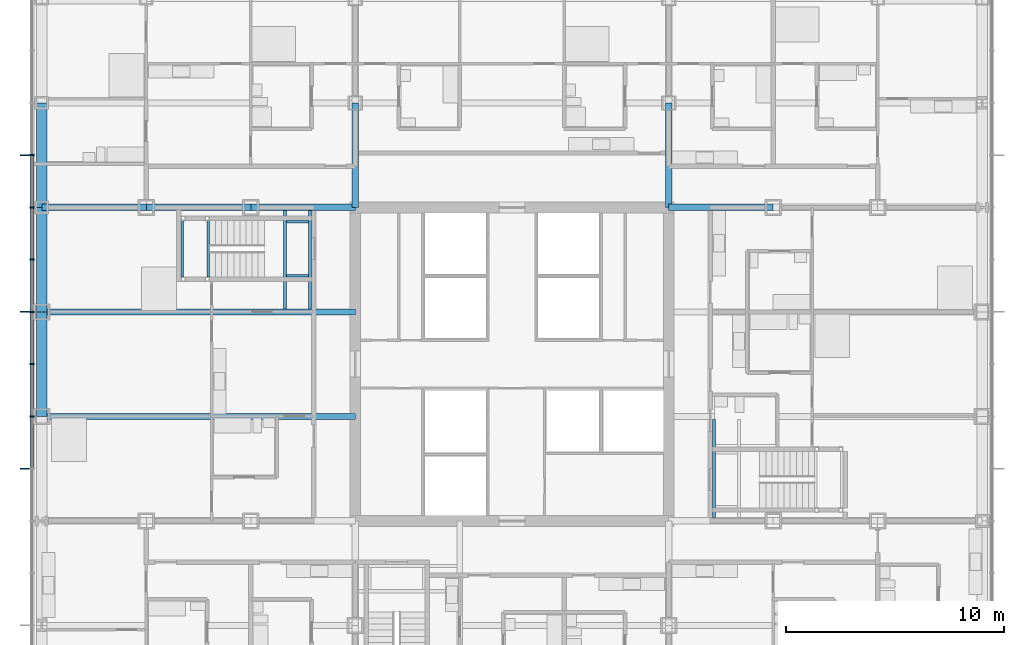
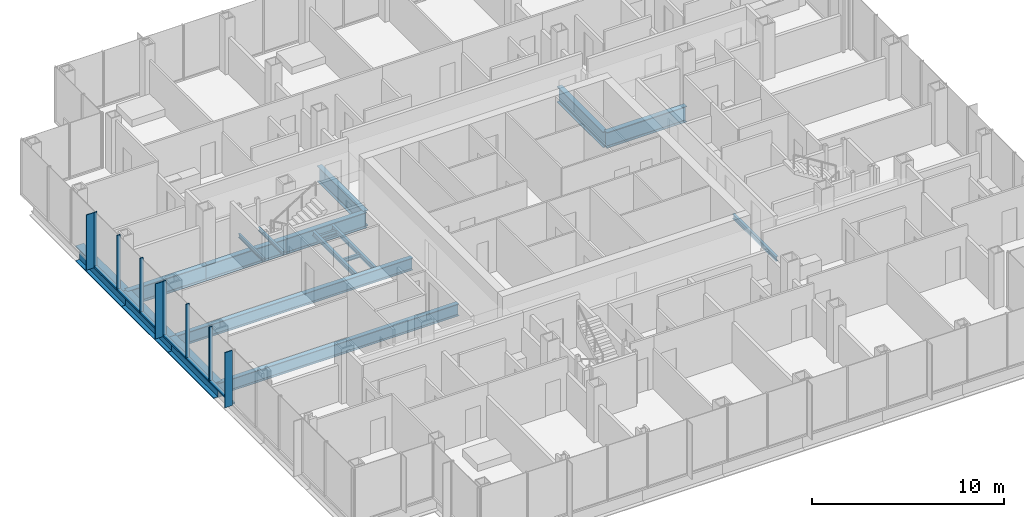
# One storey, part 8 of 21: 18 beams, 15 members, 1 element without a shape of its own.
"""IFC4 building model written with IfcOpenShell, lengths in metres."""

from ifc_helpers import new_model, si_unit, direction, frame, origin, origin_2d, place, context, subcontext, project, spatial, rectangle, i_section, extrude, material, material_profile, profile_set, type_object, element, aggregate, save


model = new_model("IFC4")

# Units and contexts
model_context = context("Model", 3, precision=1e-05, world=origin(), true_north=direction((0.0, 1.0)))
body_context = subcontext(model_context, "Body", "Model", "MODEL_VIEW")
ifc_project = project(units=[si_unit("LENGTHUNIT", "METRE"), si_unit("AREAUNIT", "SQUARE_METRE"), si_unit("VOLUMEUNIT", "CUBIC_METRE"), si_unit("PLANEANGLEUNIT", "RADIAN"), si_unit("MASSUNIT", "GRAM", prefix="KILO")], contexts=[model_context])

# Site, building, storey
site_placement = place(None, origin())
site = spatial("IfcSite", under=ifc_project, at=site_placement, CompositionType="ELEMENT")
building_placement = place(site_placement, origin())
building = spatial("IfcBuilding", under=site, at=building_placement, Name="Kvirike Care Tower", CompositionType="ELEMENT")
storey_placement = place(building_placement, frame((0.0, 0.0, 44.5)))
storey = spatial("IfcBuildingStorey", under=building, at=storey_placement, Name="L11", CompositionType="ELEMENT", Elevation=44.5)

# Curtain wall, members
ifc_material_1 = material(Name="Anodised aluminium stick system", Category="aluminium")
curtain_wall_type = type_object("IfcCurtainWallType", Name="CW-A STICK CURTAIN WALL", PredefinedType="NOTDEFINED", material=ifc_material_1)
curtain_wall_placement = place(storey_placement, origin())
curtain_wall = element("IfcCurtainWall", 1, at=curtain_wall_placement, inside=storey, type_object=curtain_wall_type, Name="Curtain wall L11 face 1", PredefinedType="NOTDEFINED")
ifc_material_2 = material(Name="Bronze anodised aluminium fin", Category="aluminium")
ifc_material_profile_1 = material_profile(ifc_material_2, rectangle(XDim=0.050048828125, YDim=0.449951171875, at=origin_2d()), Name="BRONZE FIN 450")
ifc_profile_set_1 = profile_set([ifc_material_profile_1], Name="Bronze anodised aluminium fin")
member_type_1 = type_object("IfcMemberType", Name="BRONZE FIN 450", PredefinedType="USERDEFINED", material=ifc_profile_set_1)
member_1_placement = place(storey_placement, frame((-0.77490234375, 45.60009765625, 0.0), z_axis=(0.0, 0.0, 1.0), x_axis=(0.0, -1.0, 0.0)))
member_1 = element("IfcMember", 2, at=member_1_placement, type_object=member_type_1, Name="Bronze fin L11 face 1.4", ObjectType="FIN", PredefinedType="USERDEFINED", context=body_context, shape_type="SweptSolid", body=[
    extrude(rectangle(XDim=0.050048828125, YDim=0.449951171875, at=origin_2d()), origin(), (0.0, 0.0, 1.0), 3.5),
])
member_2_placement = place(storey_placement, frame((-0.77490234375, 38.39990234375, 0.0), z_axis=(0.0, 0.0, 1.0), x_axis=(0.0, -1.0, 0.0)))
member_2 = element("IfcMember", 3, at=member_2_placement, type_object=member_type_1, Name="Bronze fin L11 face 1.7", ObjectType="FIN", PredefinedType="USERDEFINED", context=body_context, shape_type="SweptSolid", body=[
    extrude(rectangle(XDim=0.050048828125, YDim=0.449951171875, at=origin_2d()), origin(), (0.0, 0.0, 1.0), 3.5),
])
member_3_placement = place(storey_placement, frame((-0.77490234375, 31.199951171875, 0.0), z_axis=(0.0, 0.0, 1.0), x_axis=(0.0, -1.0, 0.0)))
member_3 = element("IfcMember", 4, at=member_3_placement, type_object=member_type_1, Name="Bronze fin L11 face 1.10", ObjectType="FIN", PredefinedType="USERDEFINED", context=body_context, shape_type="SweptSolid", body=[
    extrude(rectangle(XDim=0.050048828125, YDim=0.449951171875, at=origin_2d()), origin(), (0.0, 0.0, 1.0), 3.5),
])
ifc_material_3 = material(Name="Bronze anodised aluminium mullion", Category="aluminium")
ifc_material_profile_2 = material_profile(ifc_material_3, rectangle(XDim=0.06494140625, YDim=0.199951171875, at=origin_2d()), Name="CW-A MULLION 65x200")
ifc_profile_set_2 = profile_set([ifc_material_profile_2], Name="Bronze anodised aluminium mullion")
member_type_2 = type_object("IfcMemberType", Name="CW-A MULLION 65x200", PredefinedType="MULLION", material=ifc_profile_set_2)
member_4_placement = place(storey_placement, frame((-0.449951171875, 45.60009765625, 0.0), z_axis=(0.0, 0.0, 1.0), x_axis=(0.0, -1.0, 0.0)))
member_4 = element("IfcMember", 5, at=member_4_placement, type_object=member_type_2, Name="CW-A mullion L11 face 1.4", PredefinedType="MULLION", context=body_context, shape_type="SweptSolid", body=[
    extrude(rectangle(XDim=0.06494140625, YDim=0.199951171875, at=origin_2d()), origin(), (0.0, 0.0, 1.0), 3.5),
])
member_5_placement = place(storey_placement, frame((-0.449951171875, 43.199951171875, 0.0), z_axis=(0.0, 0.0, 1.0), x_axis=(0.0, -1.0, 0.0)))
member_5 = element("IfcMember", 6, at=member_5_placement, type_object=member_type_2, Name="CW-A mullion L11 face 1.5", PredefinedType="MULLION", context=body_context, shape_type="SweptSolid", body=[
    extrude(rectangle(XDim=0.06494140625, YDim=0.199951171875, at=origin_2d()), origin(), (0.0, 0.0, 1.0), 3.5),
])
member_6_placement = place(storey_placement, frame((-0.449951171875, 40.800048828125, 0.0), z_axis=(0.0, 0.0, 1.0), x_axis=(0.0, -1.0, 0.0)))
member_6 = element("IfcMember", 7, at=member_6_placement, type_object=member_type_2, Name="CW-A mullion L11 face 1.6", PredefinedType="MULLION", context=body_context, shape_type="SweptSolid", body=[
    extrude(rectangle(XDim=0.06494140625, YDim=0.199951171875, at=origin_2d()), origin(), (0.0, 0.0, 1.0), 3.5),
])
member_7_placement = place(storey_placement, frame((-0.449951171875, 38.39990234375, 0.0), z_axis=(0.0, 0.0, 1.0), x_axis=(0.0, -1.0, 0.0)))
member_7 = element("IfcMember", 8, at=member_7_placement, type_object=member_type_2, Name="CW-A mullion L11 face 1.7", PredefinedType="MULLION", context=body_context, shape_type="SweptSolid", body=[
    extrude(rectangle(XDim=0.06494140625, YDim=0.199951171875, at=origin_2d()), origin(), (0.0, 0.0, 1.0), 3.5),
])
member_8_placement = place(storey_placement, frame((-0.449951171875, 36.0, 0.0), z_axis=(0.0, 0.0, 1.0), x_axis=(0.0, -1.0, 0.0)))
member_8 = element("IfcMember", 9, at=member_8_placement, type_object=member_type_2, Name="CW-A mullion L11 face 1.8", PredefinedType="MULLION", context=body_context, shape_type="SweptSolid", body=[
    extrude(rectangle(XDim=0.06494140625, YDim=0.199951171875, at=origin_2d()), origin(), (0.0, 0.0, 1.0), 3.5),
])
member_9_placement = place(storey_placement, frame((-0.449951171875, 33.60009765625, 0.0), z_axis=(0.0, 0.0, 1.0), x_axis=(0.0, -1.0, 0.0)))
member_9 = element("IfcMember", 10, at=member_9_placement, type_object=member_type_2, Name="CW-A mullion L11 face 1.9", PredefinedType="MULLION", context=body_context, shape_type="SweptSolid", body=[
    extrude(rectangle(XDim=0.06494140625, YDim=0.199951171875, at=origin_2d()), origin(), (0.0, 0.0, 1.0), 3.5),
])
ifc_material_4 = material(Name="Bronze anodised aluminium transom", Category="aluminium")
ifc_material_profile_3 = material_profile(ifc_material_4, rectangle(XDim=0.199951171875, YDim=0.10009765625, at=origin_2d()), Name="CW-A TRANSOM 200x100")
ifc_profile_set_3 = profile_set([ifc_material_profile_3], Name="Bronze anodised aluminium transom")
member_type_3 = type_object("IfcMemberType", Name="CW-A TRANSOM 200x100", PredefinedType="USERDEFINED", material=ifc_profile_set_3)
member_10_placement = place(storey_placement, frame((-0.449951171875, 45.5673828125, 0.050048828125), z_axis=(0.0, -1.0, 0.0), x_axis=(1.0, 0.0, 0.0)))
member_10 = element("IfcMember", 11, at=member_10_placement, type_object=member_type_3, Name="CW-A sill transom L11 face 1.4", ObjectType="TRANSOM", PredefinedType="USERDEFINED", context=body_context, shape_type="SweptSolid", body=[
    extrude(rectangle(XDim=0.199951171875, YDim=0.10009765625, at=origin_2d()), origin(), (0.0, 0.0, 1.0), 2.3349609375),
])
member_11_placement = place(storey_placement, frame((-0.449951171875, 43.16748046875, 0.050048828125), z_axis=(0.0, -1.0, 0.0), x_axis=(1.0, 0.0, 0.0)))
member_11 = element("IfcMember", 12, at=member_11_placement, type_object=member_type_3, Name="CW-A sill transom L11 face 1.5", ObjectType="TRANSOM", PredefinedType="USERDEFINED", context=body_context, shape_type="SweptSolid", body=[
    extrude(rectangle(XDim=0.199951171875, YDim=0.10009765625, at=origin_2d()), origin(), (0.0, 0.0, 1.0), 2.3349609375),
])
member_12_placement = place(storey_placement, frame((-0.449951171875, 40.767578125, 0.050048828125), z_axis=(0.0, -1.0, 0.0), x_axis=(1.0, 0.0, 0.0)))
member_12 = element("IfcMember", 13, at=member_12_placement, type_object=member_type_3, Name="CW-A sill transom L11 face 1.6", ObjectType="TRANSOM", PredefinedType="USERDEFINED", context=body_context, shape_type="SweptSolid", body=[
    extrude(rectangle(XDim=0.199951171875, YDim=0.10009765625, at=origin_2d()), origin(), (0.0, 0.0, 1.0), 2.3349609375),
])
member_13_placement = place(storey_placement, frame((-0.449951171875, 38.367431640625, 0.050048828125), z_axis=(0.0, -1.0, 0.0), x_axis=(1.0, 0.0, 0.0)))
member_13 = element("IfcMember", 14, at=member_13_placement, type_object=member_type_3, Name="CW-A sill transom L11 face 1.7", ObjectType="TRANSOM", PredefinedType="USERDEFINED", context=body_context, shape_type="SweptSolid", body=[
    extrude(rectangle(XDim=0.199951171875, YDim=0.10009765625, at=origin_2d()), origin(), (0.0, 0.0, 1.0), 2.3349609375),
])
member_14_placement = place(storey_placement, frame((-0.449951171875, 35.967529296875, 0.050048828125), z_axis=(0.0, -1.0, 0.0), x_axis=(1.0, 0.0, 0.0)))
member_14 = element("IfcMember", 15, at=member_14_placement, type_object=member_type_3, Name="CW-A sill transom L11 face 1.8", ObjectType="TRANSOM", PredefinedType="USERDEFINED", context=body_context, shape_type="SweptSolid", body=[
    extrude(rectangle(XDim=0.199951171875, YDim=0.10009765625, at=origin_2d()), origin(), (0.0, 0.0, 1.0), 2.3349609375),
])
member_15_placement = place(storey_placement, frame((-0.449951171875, 33.5673828125, 0.050048828125), z_axis=(0.0, -1.0, 0.0), x_axis=(1.0, 0.0, 0.0)))
member_15 = element("IfcMember", 16, at=member_15_placement, type_object=member_type_3, Name="CW-A sill transom L11 face 1.9", ObjectType="TRANSOM", PredefinedType="USERDEFINED", context=body_context, shape_type="SweptSolid", body=[
    extrude(rectangle(XDim=0.199951171875, YDim=0.10009765625, at=origin_2d()), origin(), (0.0, 0.0, 1.0), 2.3349609375),
])
aggregate(curtain_wall, [member_4, member_1, member_5, member_6, member_7, member_2, member_8, member_9, member_3, member_10, member_11, member_12, member_13, member_14, member_15])

# Beams
ifc_material_5 = material(Name="Steel S355", Category="steel")
ifc_material_profile_4 = material_profile(ifc_material_5, i_section(OverallWidth=0.26806640625, OverallDepth=0.77001953125, WebThickness=0.015625, FlangeThickness=0.025390625, FilletRadius=0.01708984375, at=origin_2d()), Name="IPE 750x196")
ifc_profile_set_4 = profile_set([ifc_material_profile_4], Name="Steel S355")
beam_type_1 = type_object("IfcBeamType", Name="FLOOR BEAM IPE 750x196", PredefinedType="BEAM", material=ifc_profile_set_4)
for number, where, z_axis, x_axis, name in (
    (17, (0.0, 33.60009765625, -0.554931640625), (1.0, 0.0, 0.0), (0.0, 1.0, 0.0), "Floor Beam H3-H6 L11"),
    (18, (0.0, 38.39990234375, -0.554931640625), (1.0, 0.0, 0.0), (0.0, 1.0, 0.0), "Floor Beam J3-J6 L11"),
):
    element("IfcBeam", number, at=place(storey_placement, frame(where, z_axis=z_axis, x_axis=x_axis)), inside=storey, type_object=beam_type_1, Name=name, PredefinedType="BEAM", context=body_context, shape_type="SweptSolid", body=[
        extrude(i_section(OverallWidth=0.26806640625, OverallDepth=0.77001953125, WebThickness=0.015625, FlangeThickness=0.025390625, FilletRadius=0.01708984375, at=origin_2d()), origin(), (0.0, 0.0, 1.0), 14.39990234375),
    ])
ifc_material_6 = material(Name="Steel S355", Category="steel")
ifc_material_profile_5 = material_profile(ifc_material_6, i_section(OverallWidth=0.300048828125, OverallDepth=1.0, WebThickness=0.01904296875, FlangeThickness=0.035888671875, FilletRadius=0.030029296875, at=origin_2d()), Name="HE 1000 B")
ifc_profile_set_5 = profile_set([ifc_material_profile_5], Name="Steel S355")
beam_type_2 = type_object("IfcBeamType", Name="FRAME BEAM HE 1000 B", PredefinedType="BEAM", material=ifc_profile_set_5)
for number, where, z_axis, x_axis, name in (
    (19, (0.0, 43.199951171875, -0.669921875), (1.0, 0.0, 0.0), (0.0, 1.0, 0.0), "Frame Beam K3-K4 L11"),
    (20, (4.800048828125, 43.199951171875, -0.669921875), (1.0, 0.0, 0.0), (0.0, 1.0, 0.0), "Frame Beam K4-K5 L11"),
):
    element("IfcBeam", number, at=place(storey_placement, frame(where, z_axis=z_axis, x_axis=x_axis)), inside=storey, type_object=beam_type_2, Name=name, PredefinedType="BEAM", context=body_context, shape_type="SweptSolid", body=[
        extrude(i_section(OverallWidth=0.300048828125, OverallDepth=1.0, WebThickness=0.01904296875, FlangeThickness=0.035888671875, FilletRadius=0.030029296875, at=origin_2d()), origin(), (0.0, 0.0, 1.0), 4.800048828125),
    ])
beam_1_placement = place(storey_placement, frame((9.60009765625, 43.199951171875, -0.669921875), z_axis=(1.0, 0.0, 0.0), x_axis=(0.0, 1.0, 0.0)))
element("IfcBeam", 21, at=beam_1_placement, inside=storey, type_object=beam_type_2, Name="Frame Beam K5-K6 L11", PredefinedType="BEAM", context=body_context, shape_type="SweptSolid", body=[
    extrude(i_section(OverallWidth=0.300048828125, OverallDepth=1.0, WebThickness=0.01904296875, FlangeThickness=0.035888671875, FilletRadius=0.030029296875, at=origin_2d()), origin(), (0.0, 0.0, 1.0), 4.7998046875),
])
for number, where, z_axis, x_axis, name in (
    (22, (28.800048828125, 43.199951171875, -0.669921875), (1.0, 0.0, 0.0), (0.0, 1.0, 0.0), "Frame Beam K9-K10 L11"),
    (23, (14.39990234375, 43.199951171875, -0.669921875), (0.0, 1.0, 0.0), (-1.0, 0.0, 0.0), "Frame Beam K6-L6 L11"),
    (24, (28.800048828125, 43.199951171875, -0.669921875), (0.0, 1.0, 0.0), (-1.0, 0.0, 0.0), "Frame Beam K9-L9 L11"),
):
    element("IfcBeam", number, at=place(storey_placement, frame(where, z_axis=z_axis, x_axis=x_axis)), inside=storey, type_object=beam_type_2, Name=name, PredefinedType="BEAM", context=body_context, shape_type="SweptSolid", body=[
        extrude(i_section(OverallWidth=0.300048828125, OverallDepth=1.0, WebThickness=0.01904296875, FlangeThickness=0.035888671875, FilletRadius=0.030029296875, at=origin_2d()), origin(), (0.0, 0.0, 1.0), 4.800048828125),
    ])
ifc_material_7 = material(Name="Steel S355", Category="steel")
ifc_material_profile_6 = material_profile(ifc_material_7, i_section(OverallWidth=0.5, OverallDepth=1.0, WebThickness=0.030029296875, FlangeThickness=0.06005859375, at=origin_2d()), Name="PG 1000x500x30x60")
ifc_profile_set_6 = profile_set([ifc_material_profile_6], Name="Steel S355")
beam_type_3 = type_object("IfcBeamType", Name="SPANDREL PG 1000x500x30x60", PredefinedType="SPANDREL", material=ifc_profile_set_6)
beam_2_placement = place(storey_placement, frame((0.0, 33.60009765625, -0.669921875), z_axis=(0.0, 1.0, 0.0), x_axis=(-1.0, 0.0, 0.0)))
element("IfcBeam", 25, at=beam_2_placement, inside=storey, type_object=beam_type_3, Name="Spandrel H3-J3 L11", PredefinedType="SPANDREL", context=body_context, shape_type="SweptSolid", body=[
    extrude(i_section(OverallWidth=0.5, OverallDepth=1.0, WebThickness=0.030029296875, FlangeThickness=0.06005859375, at=origin_2d()), origin(), (0.0, 0.0, 1.0), 4.7998046875),
])
for number, where, z_axis, x_axis, name in (
    (26, (0.0, 38.39990234375, -0.669921875), (0.0, 1.0, 0.0), (-1.0, 0.0, 0.0), "Spandrel J3-K3 L11"),
    (27, (0.0, 43.199951171875, -0.669921875), (0.0, 1.0, 0.0), (-1.0, 0.0, 0.0), "Spandrel K3-L3 L11"),
):
    element("IfcBeam", number, at=place(storey_placement, frame(where, z_axis=z_axis, x_axis=x_axis)), inside=storey, type_object=beam_type_3, Name=name, PredefinedType="SPANDREL", context=body_context, shape_type="SweptSolid", body=[
        extrude(i_section(OverallWidth=0.5, OverallDepth=1.0, WebThickness=0.030029296875, FlangeThickness=0.06005859375, at=origin_2d()), origin(), (0.0, 0.0, 1.0), 4.800048828125),
    ])
ifc_material_8 = material(Name="Steel S355", Category="steel")
ifc_material_profile_7 = material_profile(ifc_material_8, i_section(OverallWidth=0.1201171875, OverallDepth=0.239990234375, WebThickness=0.006103515625, FlangeThickness=0.009765625, FilletRadius=0.014892578125, at=origin_2d()), Name="IPE 240")
ifc_profile_set_7 = profile_set([ifc_material_profile_7], Name="Steel S355")
beam_type_4 = type_object("IfcBeamType", Name="STAIR LANDING BEAM IPE 240", PredefinedType="BEAM", material=ifc_profile_set_7)
for number, where, z_axis, x_axis, name in (
    (28, (6.4599609375, 42.60009765625, 1.429931640625), (0.0, -1.0, 0.0), (1.0, 0.0, 0.0), "Stair 1 landing beam back L11"),
    (29, (7.639892578125, 42.60009765625, 1.429931640625), (0.0, -1.0, 0.0), (1.0, 0.0, 0.0), "Stair 1 landing beam front L11"),
):
    element("IfcBeam", number, at=place(storey_placement, frame(where, z_axis=z_axis, x_axis=x_axis)), inside=storey, type_object=beam_type_4, Name=name, PredefinedType="BEAM", context=body_context, shape_type="SweptSolid", body=[
        extrude(i_section(OverallWidth=0.1201171875, OverallDepth=0.239990234375, WebThickness=0.006103515625, FlangeThickness=0.009765625, FilletRadius=0.014892578125, at=origin_2d()), origin(), (0.0, 0.0, 1.0), 2.60009765625),
    ])
for number, where, z_axis, x_axis, name in (
    (30, (11.25, 42.5400390625, -0.320068359375), (1.0, 0.0, 0.0), (0.0, 1.0, 0.0), "Stair 1 landing edge beam 1 L11"),
    (31, (11.25, 40.06005859375, -0.320068359375), (1.0, 0.0, 0.0), (0.0, 1.0, 0.0), "Stair 1 landing edge beam 2 L11"),
):
    element("IfcBeam", number, at=place(storey_placement, frame(where, z_axis=z_axis, x_axis=x_axis)), inside=storey, type_object=beam_type_4, Name=name, PredefinedType="BEAM", context=body_context, shape_type="SweptSolid", body=[
        extrude(i_section(OverallWidth=0.1201171875, OverallDepth=0.239990234375, WebThickness=0.006103515625, FlangeThickness=0.009765625, FilletRadius=0.014892578125, at=origin_2d()), origin(), (0.0, 0.0, 1.0), 1.0),
    ])
ifc_material_9 = material(Name="Steel S355", Category="steel")
ifc_material_profile_8 = material_profile(ifc_material_9, i_section(OverallWidth=0.14990234375, OverallDepth=0.300048828125, WebThickness=0.007080078125, FlangeThickness=0.0107421875, FilletRadius=0.014892578125, at=origin_2d()), Name="IPE 300")
ifc_profile_set_8 = profile_set([ifc_material_profile_8], Name="Steel S355")
beam_type_5 = type_object("IfcBeamType", Name="STAIR TRIMMER IPE 300", PredefinedType="BEAM", material=ifc_profile_set_8)
for number, where, z_axis, x_axis, name in (
    (32, (11.175048828125, 43.050048828125, -0.35009765625), (0.0, -1.0, 0.0), (1.0, 0.0, 0.0), "Stair 1 trimmer 1 L11"),
    (33, (12.324951171875, 43.050048828125, -0.35009765625), (0.0, -1.0, 0.0), (1.0, 0.0, 0.0), "Stair 1 trimmer 2 L11"),
    (34, (30.875, 28.949951171875, -0.35009765625), (0.0, 1.0, 0.0), (-1.0, 0.0, 0.0), "Stair 2 trimmer 2 L11"),
):
    element("IfcBeam", number, at=place(storey_placement, frame(where, z_axis=z_axis, x_axis=x_axis)), inside=storey, type_object=beam_type_5, Name=name, PredefinedType="BEAM", context=body_context, shape_type="SweptSolid", body=[
        extrude(i_section(OverallWidth=0.14990234375, OverallDepth=0.300048828125, WebThickness=0.007080078125, FlangeThickness=0.0107421875, FilletRadius=0.014892578125, at=origin_2d()), origin(), (0.0, 0.0, 1.0), 4.51611328125),
    ])

save(model, "model.ifc")
